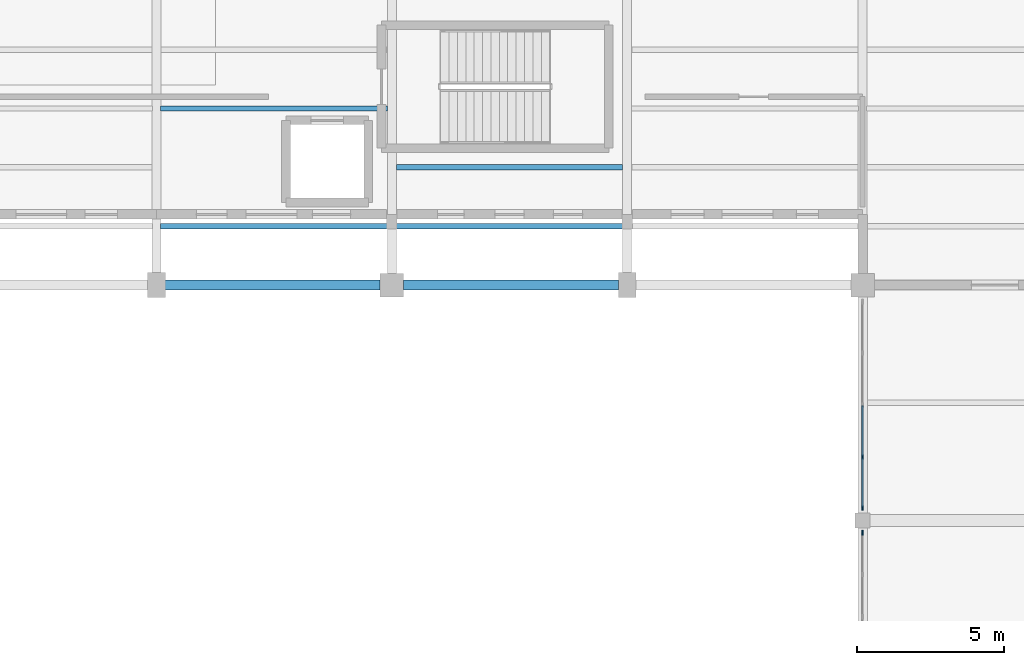
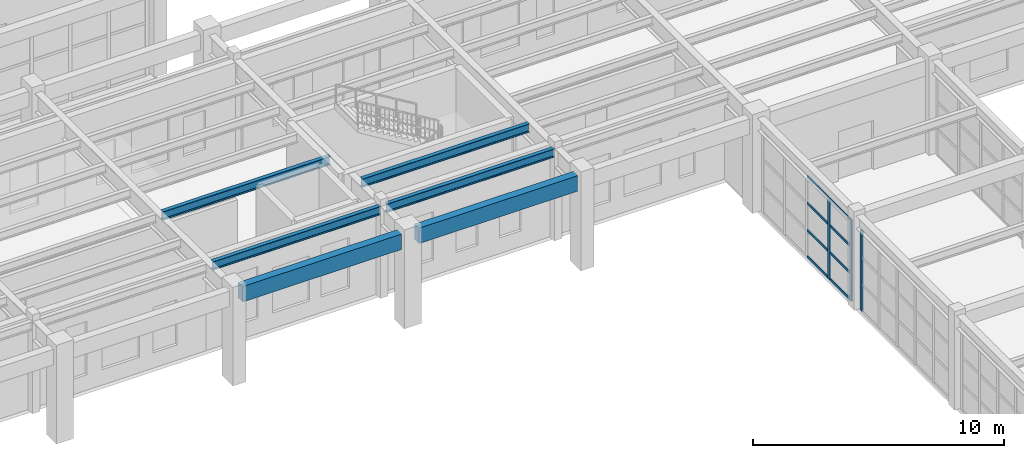
# One storey, part 14 of 59: 11 members, 6 beams, 2 elements without a shape of their own.
"""IFC4 building model written with IfcOpenShell, lengths in metres."""

from ifc_helpers import new_model, si_unit, direction, frame, origin, origin_2d, place, context, subcontext, project, spatial, rectangle, i_section, extrude, material, material_profile, profile_set, type_object, element, aggregate, save


model = new_model("IFC4")

# Units and contexts
model_context = context("Model", 3, precision=1e-05, world=origin(), true_north=direction((0.0, 1.0)))
body_context = subcontext(model_context, "Body", "Model", "MODEL_VIEW")
ifc_project = project(units=[si_unit("LENGTHUNIT", "METRE"), si_unit("AREAUNIT", "SQUARE_METRE"), si_unit("VOLUMEUNIT", "CUBIC_METRE"), si_unit("PLANEANGLEUNIT", "RADIAN"), si_unit("MASSUNIT", "GRAM", prefix="KILO")], contexts=[model_context])

# Site, building, storey
site_placement = place(None, origin())
site = spatial("IfcSite", under=ifc_project, at=site_placement, CompositionType="ELEMENT")
building_placement = place(site_placement, origin())
building = spatial("IfcBuilding", under=site, at=building_placement, Name="Serraluz Foothill Cableway Terminal", CompositionType="ELEMENT")
storey_placement = place(building_placement, frame((0.0, 0.0, 4.800048828125)))
storey = spatial("IfcBuildingStorey", under=building, at=storey_placement, Name="L01", CompositionType="ELEMENT", Elevation=4.800048828125)

# Curtain wall, member
ifc_material_1 = material(Name="Architectural bronze alloy C28000", Category="aluminium")
curtain_wall_type = type_object("IfcCurtainWallType", Name="TYP-CW-710X420", PredefinedType="NOTDEFINED", material=ifc_material_1)
curtain_wall_1_placement = place(storey_placement, origin())
curtain_wall_1 = element("IfcCurtainWall", 1, at=curtain_wall_1_placement, inside=storey, type_object=curtain_wall_type, Name="Ribbed Glazed Curtain Wall CW-CLW-L01-40", PredefinedType="NOTDEFINED")
ifc_material_profile_1 = material_profile(ifc_material_1, rectangle(XDim=0.06005859375, YDim=0.159912109375, at=origin_2d()), Name="ALU MULLION 60x160")
ifc_profile_set_1 = profile_set([ifc_material_profile_1], Name="Architectural bronze alloy C28000")
member_type_1 = type_object("IfcMemberType", Name="TYP-CW-MUL-60X160", PredefinedType="MULLION", material=ifc_profile_set_1)
member_1_placement = place(storey_placement, frame((120.0, 47.580078125, 0.0), z_axis=(0.0, 0.0, 1.0), x_axis=(-1.0, 0.0, 0.0)))
member_1 = element("IfcMember", 2, at=member_1_placement, type_object=member_type_1, Name="CW-01 mullion 6", PredefinedType="MULLION", context=body_context, shape_type="SweptSolid", body=[
    extrude(rectangle(XDim=0.06005859375, YDim=0.159912109375, at=origin_2d()), origin(), (0.0, 0.0, 1.0), 3.94384765625),
])
aggregate(curtain_wall_1, [member_1])

# Curtain wall, members
curtain_wall_2_placement = place(storey_placement, origin())
curtain_wall_2 = element("IfcCurtainWall", 3, at=curtain_wall_2_placement, inside=storey, type_object=curtain_wall_type, Name="Ribbed Glazed Curtain Wall CW-CLW-L01-48", PredefinedType="NOTDEFINED")
member_2_placement = place(storey_placement, frame((120.0, 48.419921875, 0.0), z_axis=(0.0, 0.0, 1.0), x_axis=(-1.0, 0.0, 0.0)))
member_2 = element("IfcMember", 4, at=member_2_placement, type_object=member_type_1, Name="CW-01 mullion 1", PredefinedType="MULLION", context=body_context, shape_type="SweptSolid", body=[
    extrude(rectangle(XDim=0.06005859375, YDim=0.159912109375, at=origin_2d()), origin(), (0.0, 0.0, 1.0), 3.94384765625),
])
member_3_placement = place(storey_placement, frame((120.0, 50.157470703125, 0.0), z_axis=(0.0, 0.0, 1.0), x_axis=(-1.0, 0.0, 0.0)))
member_3 = element("IfcMember", 5, at=member_3_placement, type_object=member_type_1, Name="CW-01 mullion 2", PredefinedType="MULLION", context=body_context, shape_type="SweptSolid", body=[
    extrude(rectangle(XDim=0.06005859375, YDim=0.159912109375, at=origin_2d()), origin(), (0.0, 0.0, 1.0), 3.94384765625),
])
ifc_material_profile_2 = material_profile(ifc_material_1, rectangle(XDim=0.06005859375, YDim=0.1201171875, at=origin_2d()), Name="ALU TRANSOM 60x120")
ifc_profile_set_2 = profile_set([ifc_material_profile_2], Name="Architectural bronze alloy C28000")
member_type_2 = type_object("IfcMemberType", Name="TYP-CW-TRN-60X120", PredefinedType="USERDEFINED", material=ifc_profile_set_2)
member_4_placement = place(storey_placement, frame((120.0, 48.449951171875, 0.030029296875), z_axis=(0.0, 1.0, 0.0), x_axis=(-1.0, 0.0, 0.0)))
member_4 = element("IfcMember", 6, at=member_4_placement, type_object=member_type_2, Name="CW-01 transom 1.1", ObjectType="TRANSOM", PredefinedType="USERDEFINED", context=body_context, shape_type="SweptSolid", body=[
    extrude(rectangle(XDim=0.06005859375, YDim=0.1201171875, at=origin_2d()), origin(), (0.0, 0.0, 1.0), 1.677490234375),
])
member_5_placement = place(storey_placement, frame((120.0, 48.449951171875, 1.314697265625), z_axis=(0.0, 1.0, 0.0), x_axis=(-1.0, 0.0, 0.0)))
member_5 = element("IfcMember", 7, at=member_5_placement, type_object=member_type_2, Name="CW-01 transom 1.2", ObjectType="TRANSOM", PredefinedType="USERDEFINED", context=body_context, shape_type="SweptSolid", body=[
    extrude(rectangle(XDim=0.06005859375, YDim=0.1201171875, at=origin_2d()), origin(), (0.0, 0.0, 1.0), 1.677490234375),
])
member_6_placement = place(storey_placement, frame((120.0, 48.449951171875, 2.629150390625), z_axis=(0.0, 1.0, 0.0), x_axis=(-1.0, 0.0, 0.0)))
member_6 = element("IfcMember", 8, at=member_6_placement, type_object=member_type_2, Name="CW-01 transom 1.3", ObjectType="TRANSOM", PredefinedType="USERDEFINED", context=body_context, shape_type="SweptSolid", body=[
    extrude(rectangle(XDim=0.06005859375, YDim=0.1201171875, at=origin_2d()), origin(), (0.0, 0.0, 1.0), 1.677490234375),
])
member_7_placement = place(storey_placement, frame((120.0, 48.449951171875, 3.9140625), z_axis=(0.0, 1.0, 0.0), x_axis=(-1.0, 0.0, 0.0)))
member_7 = element("IfcMember", 9, at=member_7_placement, type_object=member_type_2, Name="CW-01 transom 1.4", ObjectType="TRANSOM", PredefinedType="USERDEFINED", context=body_context, shape_type="SweptSolid", body=[
    extrude(rectangle(XDim=0.06005859375, YDim=0.1201171875, at=origin_2d()), origin(), (0.0, 0.0, 1.0), 1.677490234375),
])
member_8_placement = place(storey_placement, frame((120.0, 50.1875, 0.030029296875), z_axis=(0.0, 1.0, 0.0), x_axis=(-1.0, 0.0, 0.0)))
member_8 = element("IfcMember", 10, at=member_8_placement, type_object=member_type_2, Name="CW-01 transom 2.1", ObjectType="TRANSOM", PredefinedType="USERDEFINED", context=body_context, shape_type="SweptSolid", body=[
    extrude(rectangle(XDim=0.06005859375, YDim=0.1201171875, at=origin_2d()), origin(), (0.0, 0.0, 1.0), 1.70751953125),
])
member_9_placement = place(storey_placement, frame((120.0, 50.1875, 1.314697265625), z_axis=(0.0, 1.0, 0.0), x_axis=(-1.0, 0.0, 0.0)))
member_9 = element("IfcMember", 11, at=member_9_placement, type_object=member_type_2, Name="CW-01 transom 2.2", ObjectType="TRANSOM", PredefinedType="USERDEFINED", context=body_context, shape_type="SweptSolid", body=[
    extrude(rectangle(XDim=0.06005859375, YDim=0.1201171875, at=origin_2d()), origin(), (0.0, 0.0, 1.0), 1.70751953125),
])
member_10_placement = place(storey_placement, frame((120.0, 50.1875, 2.629150390625), z_axis=(0.0, 1.0, 0.0), x_axis=(-1.0, 0.0, 0.0)))
member_10 = element("IfcMember", 12, at=member_10_placement, type_object=member_type_2, Name="CW-01 transom 2.3", ObjectType="TRANSOM", PredefinedType="USERDEFINED", context=body_context, shape_type="SweptSolid", body=[
    extrude(rectangle(XDim=0.06005859375, YDim=0.1201171875, at=origin_2d()), origin(), (0.0, 0.0, 1.0), 1.70751953125),
])
member_11_placement = place(storey_placement, frame((120.0, 50.1875, 3.9140625), z_axis=(0.0, 1.0, 0.0), x_axis=(-1.0, 0.0, 0.0)))
member_11 = element("IfcMember", 13, at=member_11_placement, type_object=member_type_2, Name="CW-01 transom 2.4", ObjectType="TRANSOM", PredefinedType="USERDEFINED", context=body_context, shape_type="SweptSolid", body=[
    extrude(rectangle(XDim=0.06005859375, YDim=0.1201171875, at=origin_2d()), origin(), (0.0, 0.0, 1.0), 1.70751953125),
])
aggregate(curtain_wall_2, [member_2, member_3, member_4, member_5, member_6, member_7, member_8, member_9, member_10, member_11])

# Beams
ifc_material_2 = material(Name="Steel ASTM A992 Grade 50", Category="steel")
ifc_material_profile_3 = material_profile(ifc_material_2, i_section(OverallWidth=0.180908203125, OverallDepth=0.4169921875, WebThickness=0.010986328125, FlangeThickness=0.018310546875, FilletRadius=0.013916015625, at=origin_2d()), Name="W16X57")
ifc_profile_set_3 = profile_set([ifc_material_profile_3], Name="Steel ASTM A992 Grade 50")
beam_type_1 = type_object("IfcBeamType", Name="TYP-JS-W16X57", PredefinedType="JOIST", material=ifc_profile_set_3)
beam_placement = place(storey_placement, frame((104.158935546875, 60.0, 4.266357421875), z_axis=(1.0, 0.0, 0.0), x_axis=(0.0, 1.0, 0.0)))
element("IfcBeam", 14, at=beam_placement, inside=storey, type_object=beam_type_1, Name="Secondary Floor Joist JS-L01-0096", PredefinedType="JOIST", context=body_context, shape_type="SweptSolid", body=[
    extrude(i_section(OverallWidth=0.180908203125, OverallDepth=0.4169921875, WebThickness=0.010986328125, FlangeThickness=0.018310546875, FilletRadius=0.013916015625, at=origin_2d()), origin(), (0.0, 0.0, 1.0), 7.68212890625),
])
for number, where, z_axis, x_axis, name in (
    (15, (96.139892578125, 58.0, 4.266357421875), (1.0, 0.0, 0.0), (0.0, 1.0, 0.0), "Composite Deck Joist L01-043"),
    (16, (96.139892578125, 62.0, 4.266357421875), (1.0, 0.0, 0.0), (0.0, 1.0, 0.0), "Composite Deck Joist L01-044"),
    (17, (104.139892578125, 58.0, 4.266357421875), (1.0, 0.0, 0.0), (0.0, 1.0, 0.0), "Composite Deck Joist L01-047"),
):
    element("IfcBeam", number, at=place(storey_placement, frame(where, z_axis=z_axis, x_axis=x_axis)), inside=storey, type_object=beam_type_1, Name=name, PredefinedType="JOIST", context=body_context, shape_type="SweptSolid", body=[
        extrude(i_section(OverallWidth=0.180908203125, OverallDepth=0.4169921875, WebThickness=0.010986328125, FlangeThickness=0.018310546875, FilletRadius=0.013916015625, at=origin_2d()), origin(), (0.0, 0.0, 1.0), 7.72021484375),
    ])
ifc_material_3 = material(Name="Precast concrete C40/50", Category="concrete")
ifc_material_profile_4 = material_profile(ifc_material_3, rectangle(XDim=0.35009765625, YDim=0.75, at=origin_2d()), Name="RC SP 350x750")
ifc_profile_set_4 = profile_set([ifc_material_profile_4], Name="Precast concrete C40/50")
beam_type_2 = type_object("IfcBeamType", Name="TYP-SP-RC350X750", PredefinedType="SPANDREL", material=ifc_profile_set_4)
for number, where, z_axis, x_axis, name in (
    (18, (96.2958984375, 56.0, 4.099853515625), (1.0, 0.0, 0.0), (0.0, 1.0, 0.0), "Primary Girder BM-X-L01-0208"),
    (19, (104.39599609375, 56.0, 4.099853515625), (1.0, 0.0, 0.0), (0.0, 1.0, 0.0), "Primary Girder BM-X-L01-0209"),
):
    element("IfcBeam", number, at=place(storey_placement, frame(where, z_axis=z_axis, x_axis=x_axis)), inside=storey, type_object=beam_type_2, Name=name, PredefinedType="SPANDREL", context=body_context, shape_type="SweptSolid", body=[
        extrude(rectangle(XDim=0.35009765625, YDim=0.75, at=origin_2d()), origin(), (0.0, 0.0, 1.0), 7.30810546875),
    ])

save(model, "model.ifc")
